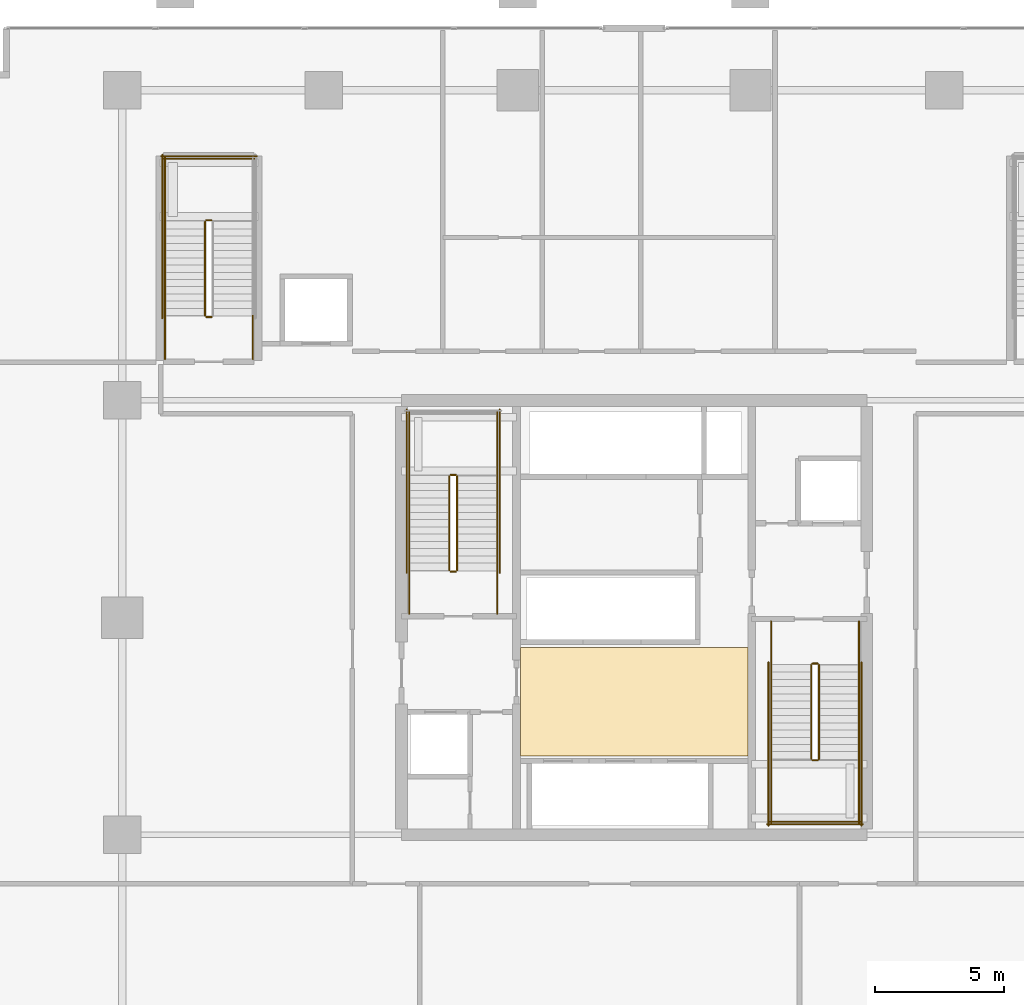
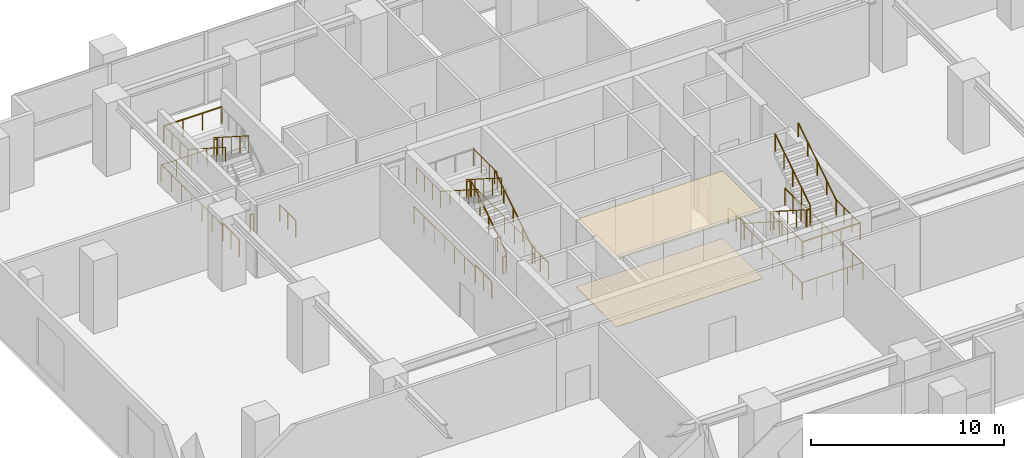
# One storey, part 19 of 20: 36 railings, 2 coverings.
"""IFC4 building model written with IfcOpenShell, lengths in metres."""

from ifc_helpers import new_model, si_unit, direction, frame, origin, origin_2d, place, context, subcontext, project, spatial, polyline, circle, outline, extrude, material, layer, layer_set, type_object, element, save


model = new_model("IFC4")

# Units and contexts
model_context = context("Model", 3, precision=1e-05, world=origin(), true_north=direction((0.0, 1.0)))
body_context = subcontext(model_context, "Body", "Model", "MODEL_VIEW")
ifc_project = project(units=[si_unit("LENGTHUNIT", "METRE"), si_unit("AREAUNIT", "SQUARE_METRE"), si_unit("VOLUMEUNIT", "CUBIC_METRE"), si_unit("PLANEANGLEUNIT", "RADIAN"), si_unit("MASSUNIT", "GRAM", prefix="KILO")], contexts=[model_context])

# Site, building, storey
site_placement = place(None, origin())
site = spatial("IfcSite", under=ifc_project, at=site_placement, CompositionType="ELEMENT")
building_placement = place(site_placement, origin())
building = spatial("IfcBuilding", under=site, at=building_placement, Name="Serunith Strait Residences", CompositionType="ELEMENT")
storey_placement = place(building_placement, frame((0.0, 0.0, 5.5)))
storey = spatial("IfcBuildingStorey", under=building, at=storey_placement, Name="L01", CompositionType="ELEMENT", Elevation=5.5)

# Coverings
ifc_material_1 = material(Name="Perforated acoustic gypsum ceiling tile")
ifc_layer_1 = layer(ifc_material_1, 0.02490234375, Name="Perforated acoustic gypsum ceiling tile")
ifc_layer_set_1 = layer_set([ifc_layer_1], Name="Perforated acoustic gypsum ceiling tile")
covering_type_1 = type_object("IfcCoveringType", Name="COV-CEIL-AC60", PredefinedType="CEILING", material=ifc_layer_set_1)
covering_1_placement = place(storey_placement, frame((0.0, 0.0, 4.27001953125)))
element("IfcCovering", 1, at=covering_1_placement, inside=storey, type_object=covering_type_1, Name="L01 Lift Lobby Acoustic Ceiling", PredefinedType="CEILING", context=body_context, shape_type="SweptSolid", body=[
    extrude(outline(polyline([(28.0, 19.85009765625), (36.800048828125, 19.85009765625), (36.800048828125, 24.050048828125), (28.0, 24.050048828125), (28.0, 19.85009765625)])), origin(), (0.0, 0.0, 1.0), 0.02490234375),
])
ifc_material_2 = material(Name="Honed limestone terrazzo flooring", Category="masonry")
ifc_layer_2 = layer(ifc_material_2, 0.02001953125, Name="Honed limestone terrazzo flooring")
ifc_layer_set_2 = layer_set([ifc_layer_2], Name="Honed limestone terrazzo flooring")
covering_type_2 = type_object("IfcCoveringType", Name="COV-FLOOR-TER40", PredefinedType="FLOORING", material=ifc_layer_set_2)
covering_2_placement = place(storey_placement, origin())
element("IfcCovering", 2, at=covering_2_placement, inside=storey, type_object=covering_type_2, Name="L01 Lift Lobby Terrazzo Flooring", PredefinedType="FLOORING", context=body_context, shape_type="SweptSolid", body=[
    extrude(outline(polyline([(28.0, 19.85009765625), (36.800048828125, 19.85009765625), (36.800048828125, 24.050048828125), (28.0, 24.050048828125), (28.0, 19.85009765625)])), origin(), (0.0, 0.0, 1.0), 0.02001953125),
])

# Railings
ifc_material_3 = material(Name="Brushed stainless steel 316L", Category="steel")
railing_type_1 = type_object("IfcRailingType", Name="RLG-STAIR-GUARD", PredefinedType="BALUSTRADE", material=ifc_material_3)
railing_1_placement = place(storey_placement, frame((25.550048828125, 27.030029296875, 0.178466796875)))
element("IfcRailing", 3, at=railing_1_placement, inside=storey, type_object=railing_type_1, Name="L01 ST-1 stair guard 1", PredefinedType="BALUSTRADE", context=body_context, shape_type="SweptSolid", body=[
    extrude(circle(Radius=0.02392578125, at=origin_2d()), frame((0.0, 0.001708984375, 1.0771484375), z_axis=(0.0, 0.843111507901, 0.53773877045), x_axis=(-1.0, 0.0, 0.0)), (0.0, 0.0, 1.0), 4.313232421875),
    extrude(circle(Radius=0.02099609375, at=origin_2d()), origin(), (0.0, 0.0, 1.0), 1.050048828125),
    extrude(circle(Radius=0.02099609375, at=origin_2d()), frame((0.0, 0.909912109375, 0.580322265625)), (0.0, 0.0, 1.0), 1.050048828125),
    extrude(circle(Radius=0.02099609375, at=origin_2d()), frame((0.0, 1.81982421875, 1.16064453125)), (0.0, 0.0, 1.0), 1.050048828125),
    extrude(circle(Radius=0.02099609375, at=origin_2d()), frame((0.0, 2.72998046875, 1.7412109375)), (0.0, 0.0, 1.0), 1.050048828125),
    extrude(circle(Radius=0.02099609375, at=origin_2d()), frame((0.0, 3.639892578125, 2.321533203125)), (0.0, 0.0, 1.0), 1.050048828125),
])
railing_2_placement = place(storey_placement, frame((25.5, 30.719970703125, 2.5)))
element("IfcRailing", 4, at=railing_2_placement, inside=storey, type_object=railing_type_1, Name="L01 ST-1 stair guard 2", PredefinedType="BALUSTRADE", context=body_context, shape_type="SweptSolid", body=[
    extrude(circle(Radius=0.02392578125, at=origin_2d()), frame((-0.001953125, 0.0, 1.076171875), z_axis=(-1.0, 0.0, 0.0), x_axis=(0.0, -1.0, 0.0)), (0.0, 0.0, 1.0), 0.196044921875),
    extrude(circle(Radius=0.02099609375, at=origin_2d()), origin(), (0.0, 0.0, 1.0), 1.050048828125),
    extrude(circle(Radius=0.02099609375, at=origin_2d()), frame((-0.199951171875, 0.0, 0.0)), (0.0, 0.0, 1.0), 1.050048828125),
])
for number, where, name in (
    (5, (27.10009765625, 30.669921875, 2.5), "L01 ST-1 stair guard 3"),
    (6, (23.699951171875, 30.669921875, 2.5), "L01 ST-1 stair guard 4"),
):
    element("IfcRailing", number, at=place(storey_placement, frame(where)), inside=storey, type_object=railing_type_1, Name=name, PredefinedType="BALUSTRADE", context=body_context, shape_type="SweptSolid", body=[
        extrude(circle(Radius=0.02392578125, at=origin_2d()), frame((0.0, 0.001953125, 1.076171875), z_axis=(0.0, 1.0, 0.0), x_axis=(-1.0, 0.0, 0.0)), (0.0, 0.0, 1.0), 2.47607421875),
        extrude(circle(Radius=0.02099609375, at=origin_2d()), origin(), (0.0, 0.0, 1.0), 1.050048828125),
        extrude(circle(Radius=0.02099609375, at=origin_2d()), frame((0.0, 0.82666015625, 0.0)), (0.0, 0.0, 1.0), 1.050048828125),
        extrude(circle(Radius=0.02099609375, at=origin_2d()), frame((0.0, 1.6533203125, 0.0)), (0.0, 0.0, 1.0), 1.050048828125),
        extrude(circle(Radius=0.02099609375, at=origin_2d()), frame((0.0, 2.47998046875, 0.0)), (0.0, 0.0, 1.0), 1.050048828125),
    ])
railing_3_placement = place(storey_placement, frame((25.25, 30.669921875, 2.678466796875)))
element("IfcRailing", 7, at=railing_3_placement, inside=storey, type_object=railing_type_1, Name="L01 ST-1 stair guard 6", PredefinedType="BALUSTRADE", context=body_context, shape_type="SweptSolid", body=[
    extrude(circle(Radius=0.02392578125, at=origin_2d()), frame((0.0, -0.001708984375, 1.0771484375), z_axis=(0.0, -0.843111507901, 0.53773877045), x_axis=(1.0, 0.0, 0.0)), (0.0, 0.0, 1.0), 4.313232421875),
    extrude(circle(Radius=0.02099609375, at=origin_2d()), origin(), (0.0, 0.0, 1.0), 1.050048828125),
    extrude(circle(Radius=0.02099609375, at=origin_2d()), frame((0.0, -0.909912109375, 0.580322265625)), (0.0, 0.0, 1.0), 1.050048828125),
    extrude(circle(Radius=0.02099609375, at=origin_2d()), frame((0.0, -1.81982421875, 1.16064453125)), (0.0, 0.0, 1.0), 1.050048828125),
    extrude(circle(Radius=0.02099609375, at=origin_2d()), frame((0.0, -2.72998046875, 1.7412109375)), (0.0, 0.0, 1.0), 1.050048828125),
    extrude(circle(Radius=0.02099609375, at=origin_2d()), frame((0.0, -3.639892578125, 2.321533203125)), (0.0, 0.0, 1.0), 1.050048828125),
])
railing_4_placement = place(storey_placement, frame((25.5, 26.97998046875, 0.0)))
element("IfcRailing", 8, at=railing_4_placement, inside=storey, type_object=railing_type_1, Name="L01 ST-1 stair guard 7", PredefinedType="BALUSTRADE", context=body_context, shape_type="SweptSolid", body=[
    extrude(circle(Radius=0.02392578125, at=origin_2d()), frame((-0.001953125, 0.0, 1.076171875), z_axis=(-1.0, 0.0, 0.0), x_axis=(0.0, -1.0, 0.0)), (0.0, 0.0, 1.0), 0.196044921875),
    extrude(circle(Radius=0.02099609375, at=origin_2d()), origin(), (0.0, 0.0, 1.0), 1.050048828125),
    extrude(circle(Radius=0.02099609375, at=origin_2d()), frame((-0.199951171875, 0.0, 0.0)), (0.0, 0.0, 1.0), 1.050048828125),
])
for number, where, name in (
    (9, (27.10009765625, 25.35009765625, 0.0), "L01 ST-1 stair guard 8"),
    (10, (23.699951171875, 25.35009765625, 0.0), "L01 ST-1 stair guard 9"),
):
    element("IfcRailing", number, at=place(storey_placement, frame(where)), inside=storey, type_object=railing_type_1, Name=name, PredefinedType="BALUSTRADE", context=body_context, shape_type="SweptSolid", body=[
        extrude(circle(Radius=0.02392578125, at=origin_2d()), frame((0.0, 0.001953125, 1.076171875), z_axis=(0.0, 1.0, 0.0), x_axis=(-1.0, 0.0, 0.0)), (0.0, 0.0, 1.0), 1.676025390625),
        extrude(circle(Radius=0.02099609375, at=origin_2d()), origin(), (0.0, 0.0, 1.0), 1.050048828125),
        extrude(circle(Radius=0.02099609375, at=origin_2d()), frame((0.0, 0.83984375, 0.0)), (0.0, 0.0, 1.0), 1.050048828125),
        extrude(circle(Radius=0.02099609375, at=origin_2d()), frame((0.0, 1.679931640625, 0.0)), (0.0, 0.0, 1.0), 1.050048828125),
    ])
for number, where, name in (
    (11, (27.199951171875, 26.929931640625, 0.0), "L01 ST-1 stair guard 10"),
    (12, (23.60009765625, 26.929931640625, 0.0), "L01 ST-1 stair guard 11"),
):
    element("IfcRailing", number, at=place(storey_placement, frame(where)), inside=storey, type_object=railing_type_1, Name=name, PredefinedType="BALUSTRADE", context=body_context, shape_type="SweptSolid", body=[
        extrude(circle(Radius=0.02392578125, at=origin_2d()), frame((0.0, 0.001953125, 1.076171875), z_axis=(0.0, 1.0, 0.0), x_axis=(-1.0, 0.0, 0.0)), (0.0, 0.0, 1.0), 6.316162109375),
        extrude(circle(Radius=0.02099609375, at=origin_2d()), origin(), (0.0, 0.0, 1.0), 1.050048828125),
        extrude(circle(Radius=0.02099609375, at=origin_2d()), frame((0.0, 1.05322265625, 0.0)), (0.0, 0.0, 1.0), 1.050048828125),
        extrude(circle(Radius=0.02099609375, at=origin_2d()), frame((0.0, 2.106689453125, 0.0)), (0.0, 0.0, 1.0), 1.050048828125),
        extrude(circle(Radius=0.02099609375, at=origin_2d()), frame((0.0, 3.16015625, 0.0)), (0.0, 0.0, 1.0), 1.050048828125),
        extrude(circle(Radius=0.02099609375, at=origin_2d()), frame((0.0, 4.21337890625, 0.0)), (0.0, 0.0, 1.0), 1.050048828125),
        extrude(circle(Radius=0.02099609375, at=origin_2d()), frame((0.0, 5.2666015625, 0.0)), (0.0, 0.0, 1.0), 1.050048828125),
        extrude(circle(Radius=0.02099609375, at=origin_2d()), frame((0.0, 6.320068359375, 0.0)), (0.0, 0.0, 1.0), 1.050048828125),
    ])
railing_5_placement = place(storey_placement, frame((39.25, 23.3701171875, 0.178466796875)))
element("IfcRailing", 13, at=railing_5_placement, inside=storey, type_object=railing_type_1, Name="L01 ST-2 stair guard 1", PredefinedType="BALUSTRADE", context=body_context, shape_type="SweptSolid", body=[
    extrude(circle(Radius=0.02392578125, at=origin_2d()), frame((0.0, -0.001708984375, 1.0771484375), z_axis=(0.0, -0.843127859045, 0.537713132908), x_axis=(1.0, 0.0, 0.0)), (0.0, 0.0, 1.0), 4.3134765625),
    extrude(circle(Radius=0.02099609375, at=origin_2d()), origin(), (0.0, 0.0, 1.0), 1.050048828125),
    extrude(circle(Radius=0.02099609375, at=origin_2d()), frame((0.0, -0.91015625, 0.580322265625)), (0.0, 0.0, 1.0), 1.050048828125),
    extrude(circle(Radius=0.02099609375, at=origin_2d()), frame((0.0, -1.820068359375, 1.16064453125)), (0.0, 0.0, 1.0), 1.050048828125),
    extrude(circle(Radius=0.02099609375, at=origin_2d()), frame((0.0, -2.72998046875, 1.7412109375)), (0.0, 0.0, 1.0), 1.050048828125),
    extrude(circle(Radius=0.02099609375, at=origin_2d()), frame((0.0, -3.64013671875, 2.321533203125)), (0.0, 0.0, 1.0), 1.050048828125),
])
railing_6_placement = place(storey_placement, frame((39.300048828125, 19.679931640625, 2.5)))
element("IfcRailing", 14, at=railing_6_placement, inside=storey, type_object=railing_type_1, Name="L01 ST-2 stair guard 2", PredefinedType="BALUSTRADE", context=body_context, shape_type="SweptSolid", body=[
    extrude(circle(Radius=0.02392578125, at=origin_2d()), frame((0.001953125, 0.0, 1.076171875), z_axis=(1.0, 0.0, 0.0), x_axis=(0.0, 1.0, 0.0)), (0.0, 0.0, 1.0), 0.196044921875),
    extrude(circle(Radius=0.02099609375, at=origin_2d()), origin(), (0.0, 0.0, 1.0), 1.050048828125),
    extrude(circle(Radius=0.02099609375, at=origin_2d()), frame((0.199951171875, 0.0, 0.0)), (0.0, 0.0, 1.0), 1.050048828125),
])
for number, where, name in (
    (15, (37.699951171875, 19.72998046875, 2.5), "L01 ST-2 stair guard 3"),
    (16, (41.10009765625, 19.72998046875, 2.5), "L01 ST-2 stair guard 4"),
):
    element("IfcRailing", number, at=place(storey_placement, frame(where)), inside=storey, type_object=railing_type_1, Name=name, PredefinedType="BALUSTRADE", context=body_context, shape_type="SweptSolid", body=[
        extrude(circle(Radius=0.02392578125, at=origin_2d()), frame((0.0, -0.001953125, 1.076171875), z_axis=(0.0, -1.0, 0.0), x_axis=(1.0, 0.0, 0.0)), (0.0, 0.0, 1.0), 2.47607421875),
        extrude(circle(Radius=0.02099609375, at=origin_2d()), origin(), (0.0, 0.0, 1.0), 1.050048828125),
        extrude(circle(Radius=0.02099609375, at=origin_2d()), frame((0.0, -0.82666015625, 0.0)), (0.0, 0.0, 1.0), 1.050048828125),
        extrude(circle(Radius=0.02099609375, at=origin_2d()), frame((0.0, -1.6533203125, 0.0)), (0.0, 0.0, 1.0), 1.050048828125),
        extrude(circle(Radius=0.02099609375, at=origin_2d()), frame((0.0, -2.47998046875, 0.0)), (0.0, 0.0, 1.0), 1.050048828125),
    ])
railing_7_placement = place(storey_placement, frame((37.64990234375, 17.300048828125, 2.5)))
element("IfcRailing", 17, at=railing_7_placement, inside=storey, type_object=railing_type_1, Name="L01 ST-2 stair guard 5", PredefinedType="BALUSTRADE", context=body_context, shape_type="SweptSolid", body=[
    extrude(circle(Radius=0.02392578125, at=origin_2d()), frame((0.001953125, 0.0, 1.076171875), z_axis=(1.0, 0.0, 0.0), x_axis=(0.0, 1.0, 0.0)), (0.0, 0.0, 1.0), 3.49609375),
    extrude(circle(Radius=0.02099609375, at=origin_2d()), origin(), (0.0, 0.0, 1.0), 1.050048828125),
    extrude(circle(Radius=0.02099609375, at=origin_2d()), frame((1.166748046875, 0.0, 0.0)), (0.0, 0.0, 1.0), 1.050048828125),
    extrude(circle(Radius=0.02099609375, at=origin_2d()), frame((2.333251953125, 0.0, 0.0)), (0.0, 0.0, 1.0), 1.050048828125),
    extrude(circle(Radius=0.02099609375, at=origin_2d()), frame((3.5, 0.0, 0.0)), (0.0, 0.0, 1.0), 1.050048828125),
])
railing_8_placement = place(storey_placement, frame((39.550048828125, 19.72998046875, 2.678466796875)))
element("IfcRailing", 18, at=railing_8_placement, inside=storey, type_object=railing_type_1, Name="L01 ST-2 stair guard 6", PredefinedType="BALUSTRADE", context=body_context, shape_type="SweptSolid", body=[
    extrude(circle(Radius=0.02392578125, at=origin_2d()), frame((0.0, 0.001708984375, 1.0771484375), z_axis=(0.0, 0.843127859045, 0.537713132908), x_axis=(-1.0, 0.0, 0.0)), (0.0, 0.0, 1.0), 4.3134765625),
    extrude(circle(Radius=0.02099609375, at=origin_2d()), origin(), (0.0, 0.0, 1.0), 1.050048828125),
    extrude(circle(Radius=0.02099609375, at=origin_2d()), frame((0.0, 0.91015625, 0.580322265625)), (0.0, 0.0, 1.0), 1.050048828125),
    extrude(circle(Radius=0.02099609375, at=origin_2d()), frame((0.0, 1.820068359375, 1.16064453125)), (0.0, 0.0, 1.0), 1.050048828125),
    extrude(circle(Radius=0.02099609375, at=origin_2d()), frame((0.0, 2.72998046875, 1.7412109375)), (0.0, 0.0, 1.0), 1.050048828125),
    extrude(circle(Radius=0.02099609375, at=origin_2d()), frame((0.0, 3.64013671875, 2.321533203125)), (0.0, 0.0, 1.0), 1.050048828125),
])
railing_9_placement = place(storey_placement, frame((39.300048828125, 23.419921875, 0.0)))
element("IfcRailing", 19, at=railing_9_placement, inside=storey, type_object=railing_type_1, Name="L01 ST-2 stair guard 7", PredefinedType="BALUSTRADE", context=body_context, shape_type="SweptSolid", body=[
    extrude(circle(Radius=0.02392578125, at=origin_2d()), frame((0.001953125, 0.0, 1.076171875), z_axis=(1.0, 0.0, 0.0), x_axis=(0.0, 1.0, 0.0)), (0.0, 0.0, 1.0), 0.196044921875),
    extrude(circle(Radius=0.02099609375, at=origin_2d()), origin(), (0.0, 0.0, 1.0), 1.050048828125),
    extrude(circle(Radius=0.02099609375, at=origin_2d()), frame((0.199951171875, 0.0, 0.0)), (0.0, 0.0, 1.0), 1.050048828125),
])
for number, where, name in (
    (20, (37.699951171875, 25.050048828125, 0.0), "L01 ST-2 stair guard 8"),
    (21, (41.10009765625, 25.050048828125, 0.0), "L01 ST-2 stair guard 9"),
):
    element("IfcRailing", number, at=place(storey_placement, frame(where)), inside=storey, type_object=railing_type_1, Name=name, PredefinedType="BALUSTRADE", context=body_context, shape_type="SweptSolid", body=[
        extrude(circle(Radius=0.02392578125, at=origin_2d()), frame((0.0, -0.001953125, 1.076171875), z_axis=(0.0, -1.0, 0.0), x_axis=(1.0, 0.0, 0.0)), (0.0, 0.0, 1.0), 1.676025390625),
        extrude(circle(Radius=0.02099609375, at=origin_2d()), origin(), (0.0, 0.0, 1.0), 1.050048828125),
        extrude(circle(Radius=0.02099609375, at=origin_2d()), frame((0.0, -0.83984375, 0.0)), (0.0, 0.0, 1.0), 1.050048828125),
        extrude(circle(Radius=0.02099609375, at=origin_2d()), frame((0.0, -1.679931640625, 0.0)), (0.0, 0.0, 1.0), 1.050048828125),
    ])
for number, where, name in (
    (22, (37.60009765625, 23.469970703125, 0.0), "L01 ST-2 stair guard 10"),
    (23, (41.199951171875, 23.469970703125, 0.0), "L01 ST-2 stair guard 11"),
):
    element("IfcRailing", number, at=place(storey_placement, frame(where)), inside=storey, type_object=railing_type_1, Name=name, PredefinedType="BALUSTRADE", context=body_context, shape_type="SweptSolid", body=[
        extrude(circle(Radius=0.02392578125, at=origin_2d()), frame((0.0, -0.001953125, 1.076171875), z_axis=(0.0, -1.0, 0.0), x_axis=(1.0, 0.0, 0.0)), (0.0, 0.0, 1.0), 6.316162109375),
        extrude(circle(Radius=0.02099609375, at=origin_2d()), origin(), (0.0, 0.0, 1.0), 1.050048828125),
        extrude(circle(Radius=0.02099609375, at=origin_2d()), frame((0.0, -1.05322265625, 0.0)), (0.0, 0.0, 1.0), 1.050048828125),
        extrude(circle(Radius=0.02099609375, at=origin_2d()), frame((0.0, -2.106689453125, 0.0)), (0.0, 0.0, 1.0), 1.050048828125),
        extrude(circle(Radius=0.02099609375, at=origin_2d()), frame((0.0, -3.16015625, 0.0)), (0.0, 0.0, 1.0), 1.050048828125),
        extrude(circle(Radius=0.02099609375, at=origin_2d()), frame((0.0, -4.21337890625, 0.0)), (0.0, 0.0, 1.0), 1.050048828125),
        extrude(circle(Radius=0.02099609375, at=origin_2d()), frame((0.0, -5.2666015625, 0.0)), (0.0, 0.0, 1.0), 1.050048828125),
        extrude(circle(Radius=0.02099609375, at=origin_2d()), frame((0.0, -6.320068359375, 0.0)), (0.0, 0.0, 1.0), 1.050048828125),
    ])
railing_10_placement = place(storey_placement, frame((37.550048828125, 17.199951171875, 0.0)))
element("IfcRailing", 24, at=railing_10_placement, inside=storey, type_object=railing_type_1, Name="L01 ST-2 stair guard 12", PredefinedType="BALUSTRADE", context=body_context, shape_type="SweptSolid", body=[
    extrude(circle(Radius=0.02392578125, at=origin_2d()), frame((0.001953125, 0.0, 1.076171875), z_axis=(1.0, 0.0, 0.0), x_axis=(0.0, 1.0, 0.0)), (0.0, 0.0, 1.0), 3.696044921875),
    extrude(circle(Radius=0.02099609375, at=origin_2d()), origin(), (0.0, 0.0, 1.0), 1.050048828125),
    extrude(circle(Radius=0.02099609375, at=origin_2d()), frame((0.925048828125, 0.0, 0.0)), (0.0, 0.0, 1.0), 1.050048828125),
    extrude(circle(Radius=0.02099609375, at=origin_2d()), frame((1.85009765625, 0.0, 0.0)), (0.0, 0.0, 1.0), 1.050048828125),
    extrude(circle(Radius=0.02099609375, at=origin_2d()), frame((2.77490234375, 0.0, 0.0)), (0.0, 0.0, 1.0), 1.050048828125),
    extrude(circle(Radius=0.02099609375, at=origin_2d()), frame((3.699951171875, 0.0, 0.0)), (0.0, 0.0, 1.0), 1.050048828125),
])
railing_11_placement = place(storey_placement, frame((16.050048828125, 40.570068359375, 2.5)))
element("IfcRailing", 25, at=railing_11_placement, inside=storey, type_object=railing_type_1, Name="L01 ST-3 stair guard 2", PredefinedType="BALUSTRADE", context=body_context, shape_type="SweptSolid", body=[
    extrude(circle(Radius=0.02392578125, at=origin_2d()), frame((-0.001953125, 0.0, 1.076171875), z_axis=(-1.0, 0.0, 0.0), x_axis=(0.0, -1.0, 0.0)), (0.0, 0.0, 1.0), 0.196044921875),
    extrude(circle(Radius=0.02099609375, at=origin_2d()), origin(), (0.0, 0.0, 1.0), 1.050048828125),
    extrude(circle(Radius=0.02099609375, at=origin_2d()), frame((-0.199951171875, 0.0, 0.0)), (0.0, 0.0, 1.0), 1.050048828125),
])
railing_12_placement = place(storey_placement, frame((14.25, 40.52001953125, 2.5)))
element("IfcRailing", 26, at=railing_12_placement, inside=storey, type_object=railing_type_1, Name="L01 ST-3 stair guard 4", PredefinedType="BALUSTRADE", context=body_context, shape_type="SweptSolid", body=[
    extrude(circle(Radius=0.02392578125, at=origin_2d()), frame((0.0, 0.001953125, 1.076171875), z_axis=(0.0, 1.0, 0.0), x_axis=(-1.0, 0.0, 0.0)), (0.0, 0.0, 1.0), 2.47607421875),
    extrude(circle(Radius=0.02099609375, at=origin_2d()), origin(), (0.0, 0.0, 1.0), 1.050048828125),
    extrude(circle(Radius=0.02099609375, at=origin_2d()), frame((0.0, 0.82666015625, 0.0)), (0.0, 0.0, 1.0), 1.050048828125),
    extrude(circle(Radius=0.02099609375, at=origin_2d()), frame((0.0, 1.6533203125, 0.0)), (0.0, 0.0, 1.0), 1.050048828125),
    extrude(circle(Radius=0.02099609375, at=origin_2d()), frame((0.0, 2.47998046875, 0.0)), (0.0, 0.0, 1.0), 1.050048828125),
])
railing_13_placement = place(storey_placement, frame((17.699951171875, 42.949951171875, 2.5)))
element("IfcRailing", 27, at=railing_13_placement, inside=storey, type_object=railing_type_1, Name="L01 ST-3 stair guard 5", PredefinedType="BALUSTRADE", context=body_context, shape_type="SweptSolid", body=[
    extrude(circle(Radius=0.02392578125, at=origin_2d()), frame((-0.001953125, 0.0, 1.076171875), z_axis=(-1.0, 0.0, 0.0), x_axis=(0.0, -1.0, 0.0)), (0.0, 0.0, 1.0), 3.49609375),
    extrude(circle(Radius=0.02099609375, at=origin_2d()), origin(), (0.0, 0.0, 1.0), 1.050048828125),
    extrude(circle(Radius=0.02099609375, at=origin_2d()), frame((-1.166748046875, 0.0, 0.0)), (0.0, 0.0, 1.0), 1.050048828125),
    extrude(circle(Radius=0.02099609375, at=origin_2d()), frame((-2.333251953125, 0.0, 0.0)), (0.0, 0.0, 1.0), 1.050048828125),
    extrude(circle(Radius=0.02099609375, at=origin_2d()), frame((-3.5, 0.0, 0.0)), (0.0, 0.0, 1.0), 1.050048828125),
])
railing_14_placement = place(storey_placement, frame((15.800048828125, 40.52001953125, 2.678466796875)))
element("IfcRailing", 28, at=railing_14_placement, inside=storey, type_object=railing_type_1, Name="L01 ST-3 stair guard 6", PredefinedType="BALUSTRADE", context=body_context, shape_type="SweptSolid", body=[
    extrude(circle(Radius=0.02392578125, at=origin_2d()), frame((0.0, -0.001708984375, 1.0771484375), z_axis=(0.0, -0.843127859045, 0.537713132908), x_axis=(1.0, 0.0, 0.0)), (0.0, 0.0, 1.0), 4.3134765625),
    extrude(circle(Radius=0.02099609375, at=origin_2d()), origin(), (0.0, 0.0, 1.0), 1.050048828125),
    extrude(circle(Radius=0.02099609375, at=origin_2d()), frame((0.0, -0.91015625, 0.580322265625)), (0.0, 0.0, 1.0), 1.050048828125),
    extrude(circle(Radius=0.02099609375, at=origin_2d()), frame((0.0, -1.820068359375, 1.16064453125)), (0.0, 0.0, 1.0), 1.050048828125),
    extrude(circle(Radius=0.02099609375, at=origin_2d()), frame((0.0, -2.72998046875, 1.7412109375)), (0.0, 0.0, 1.0), 1.050048828125),
    extrude(circle(Radius=0.02099609375, at=origin_2d()), frame((0.0, -3.64013671875, 2.321533203125)), (0.0, 0.0, 1.0), 1.050048828125),
])
railing_15_placement = place(storey_placement, frame((16.050048828125, 36.830078125, 0.0)))
element("IfcRailing", 29, at=railing_15_placement, inside=storey, type_object=railing_type_1, Name="L01 ST-3 stair guard 7", PredefinedType="BALUSTRADE", context=body_context, shape_type="SweptSolid", body=[
    extrude(circle(Radius=0.02392578125, at=origin_2d()), frame((-0.001953125, 0.0, 1.076171875), z_axis=(-1.0, 0.0, 0.0), x_axis=(0.0, -1.0, 0.0)), (0.0, 0.0, 1.0), 0.196044921875),
    extrude(circle(Radius=0.02099609375, at=origin_2d()), origin(), (0.0, 0.0, 1.0), 1.050048828125),
    extrude(circle(Radius=0.02099609375, at=origin_2d()), frame((-0.199951171875, 0.0, 0.0)), (0.0, 0.0, 1.0), 1.050048828125),
])
for number, where, name in (
    (30, (17.64990234375, 35.199951171875, 0.0), "L01 ST-3 stair guard 8"),
    (31, (14.25, 35.199951171875, 0.0), "L01 ST-3 stair guard 9"),
):
    element("IfcRailing", number, at=place(storey_placement, frame(where)), inside=storey, type_object=railing_type_1, Name=name, PredefinedType="BALUSTRADE", context=body_context, shape_type="SweptSolid", body=[
        extrude(circle(Radius=0.02392578125, at=origin_2d()), frame((0.0, 0.001953125, 1.076171875), z_axis=(0.0, 1.0, 0.0), x_axis=(-1.0, 0.0, 0.0)), (0.0, 0.0, 1.0), 1.676025390625),
        extrude(circle(Radius=0.02099609375, at=origin_2d()), origin(), (0.0, 0.0, 1.0), 1.050048828125),
        extrude(circle(Radius=0.02099609375, at=origin_2d()), frame((0.0, 0.83984375, 0.0)), (0.0, 0.0, 1.0), 1.050048828125),
        extrude(circle(Radius=0.02099609375, at=origin_2d()), frame((0.0, 1.679931640625, 0.0)), (0.0, 0.0, 1.0), 1.050048828125),
    ])
railing_16_placement = place(storey_placement, frame((14.14990234375, 36.780029296875, 0.0)))
element("IfcRailing", 32, at=railing_16_placement, inside=storey, type_object=railing_type_1, Name="L01 ST-3 stair guard 11", PredefinedType="BALUSTRADE", context=body_context, shape_type="SweptSolid", body=[
    extrude(circle(Radius=0.02392578125, at=origin_2d()), frame((0.0, 0.001953125, 1.076171875), z_axis=(0.0, 1.0, 0.0), x_axis=(-1.0, 0.0, 0.0)), (0.0, 0.0, 1.0), 6.316162109375),
    extrude(circle(Radius=0.02099609375, at=origin_2d()), origin(), (0.0, 0.0, 1.0), 1.050048828125),
    extrude(circle(Radius=0.02099609375, at=origin_2d()), frame((0.0, 1.05322265625, 0.0)), (0.0, 0.0, 1.0), 1.050048828125),
    extrude(circle(Radius=0.02099609375, at=origin_2d()), frame((0.0, 2.106689453125, 0.0)), (0.0, 0.0, 1.0), 1.050048828125),
    extrude(circle(Radius=0.02099609375, at=origin_2d()), frame((0.0, 3.16015625, 0.0)), (0.0, 0.0, 1.0), 1.050048828125),
    extrude(circle(Radius=0.02099609375, at=origin_2d()), frame((0.0, 4.21337890625, 0.0)), (0.0, 0.0, 1.0), 1.050048828125),
    extrude(circle(Radius=0.02099609375, at=origin_2d()), frame((0.0, 5.2666015625, 0.0)), (0.0, 0.0, 1.0), 1.050048828125),
    extrude(circle(Radius=0.02099609375, at=origin_2d()), frame((0.0, 6.320068359375, 0.0)), (0.0, 0.0, 1.0), 1.050048828125),
])
railing_17_placement = place(storey_placement, frame((17.800048828125, 43.050048828125, 0.0)))
element("IfcRailing", 33, at=railing_17_placement, inside=storey, type_object=railing_type_1, Name="L01 ST-3 stair guard 12", PredefinedType="BALUSTRADE", context=body_context, shape_type="SweptSolid", body=[
    extrude(circle(Radius=0.02392578125, at=origin_2d()), frame((-0.001953125, 0.0, 1.076171875), z_axis=(-1.0, 0.0, 0.0), x_axis=(0.0, -1.0, 0.0)), (0.0, 0.0, 1.0), 3.696044921875),
    extrude(circle(Radius=0.02099609375, at=origin_2d()), origin(), (0.0, 0.0, 1.0), 1.050048828125),
    extrude(circle(Radius=0.02099609375, at=origin_2d()), frame((-0.925048828125, 0.0, 0.0)), (0.0, 0.0, 1.0), 1.050048828125),
    extrude(circle(Radius=0.02099609375, at=origin_2d()), frame((-1.85009765625, 0.0, 0.0)), (0.0, 0.0, 1.0), 1.050048828125),
    extrude(circle(Radius=0.02099609375, at=origin_2d()), frame((-2.77490234375, 0.0, 0.0)), (0.0, 0.0, 1.0), 1.050048828125),
    extrude(circle(Radius=0.02099609375, at=origin_2d()), frame((-3.699951171875, 0.0, 0.0)), (0.0, 0.0, 1.0), 1.050048828125),
])
railing_type_2 = type_object("IfcRailingType", Name="RLG-STAIR-HR", PredefinedType="HANDRAIL", material=ifc_material_3)
railing_18_placement = place(storey_placement, frame((27.10009765625, 27.030029296875, 0.178466796875)))
element("IfcRailing", 34, at=railing_18_placement, inside=storey, type_object=railing_type_2, Name="L01 ST-1 stair handrail 1", PredefinedType="HANDRAIL", context=body_context, shape_type="SweptSolid", body=[
    extrude(circle(Radius=0.02392578125, at=origin_2d()), frame((0.0, 0.001708984375, 0.876953125), z_axis=(0.0, 0.842624821579, 0.538501077119), x_axis=(-1.0, 0.0, 0.0)), (0.0, 0.0, 1.0), 4.64794921875),
    extrude(circle(Radius=0.02099609375, at=origin_2d()), origin(), (0.0, 0.0, 1.0), 0.849853515625),
    extrude(circle(Radius=0.02099609375, at=origin_2d()), frame((0.0, 0.97998046875, 0.626220703125)), (0.0, 0.0, 1.0), 0.849853515625),
    extrude(circle(Radius=0.02099609375, at=origin_2d()), frame((0.0, 1.9599609375, 1.25244140625)), (0.0, 0.0, 1.0), 0.849853515625),
    extrude(circle(Radius=0.02099609375, at=origin_2d()), frame((0.0, 2.93994140625, 1.87890625)), (0.0, 0.0, 1.0), 0.849853515625),
    extrude(circle(Radius=0.02099609375, at=origin_2d()), frame((0.0, 3.919921875, 2.505126953125)), (0.0, 0.0, 1.0), 0.849853515625),
])
railing_19_placement = place(storey_placement, frame((23.699951171875, 30.669921875, 2.678466796875)))
element("IfcRailing", 35, at=railing_19_placement, inside=storey, type_object=railing_type_2, Name="L01 ST-1 stair handrail 2", PredefinedType="HANDRAIL", context=body_context, shape_type="SweptSolid", body=[
    extrude(circle(Radius=0.02392578125, at=origin_2d()), frame((0.0, -0.001708984375, 0.876953125), z_axis=(0.0, -0.842624821579, 0.538501077119), x_axis=(1.0, 0.0, 0.0)), (0.0, 0.0, 1.0), 4.64794921875),
    extrude(circle(Radius=0.02099609375, at=origin_2d()), origin(), (0.0, 0.0, 1.0), 0.849853515625),
    extrude(circle(Radius=0.02099609375, at=origin_2d()), frame((0.0, -0.97998046875, 0.626220703125)), (0.0, 0.0, 1.0), 0.849853515625),
    extrude(circle(Radius=0.02099609375, at=origin_2d()), frame((0.0, -1.9599609375, 1.25244140625)), (0.0, 0.0, 1.0), 0.849853515625),
    extrude(circle(Radius=0.02099609375, at=origin_2d()), frame((0.0, -2.93994140625, 1.87890625)), (0.0, 0.0, 1.0), 0.849853515625),
    extrude(circle(Radius=0.02099609375, at=origin_2d()), frame((0.0, -3.919921875, 2.505126953125)), (0.0, 0.0, 1.0), 0.849853515625),
])
railing_20_placement = place(storey_placement, frame((37.699951171875, 23.3701171875, 0.178466796875)))
element("IfcRailing", 36, at=railing_20_placement, inside=storey, type_object=railing_type_2, Name="L01 ST-2 stair handrail 1", PredefinedType="HANDRAIL", context=body_context, shape_type="SweptSolid", body=[
    extrude(circle(Radius=0.02392578125, at=origin_2d()), frame((0.0, -0.001708984375, 0.876953125), z_axis=(0.0, -0.842640039007, 0.53847726476), x_axis=(1.0, 0.0, 0.0)), (0.0, 0.0, 1.0), 4.648193359375),
    extrude(circle(Radius=0.02099609375, at=origin_2d()), origin(), (0.0, 0.0, 1.0), 0.849853515625),
    extrude(circle(Radius=0.02099609375, at=origin_2d()), frame((0.0, -0.97998046875, 0.626220703125)), (0.0, 0.0, 1.0), 0.849853515625),
    extrude(circle(Radius=0.02099609375, at=origin_2d()), frame((0.0, -1.9599609375, 1.25244140625)), (0.0, 0.0, 1.0), 0.849853515625),
    extrude(circle(Radius=0.02099609375, at=origin_2d()), frame((0.0, -2.940185546875, 1.87890625)), (0.0, 0.0, 1.0), 0.849853515625),
    extrude(circle(Radius=0.02099609375, at=origin_2d()), frame((0.0, -3.920166015625, 2.505126953125)), (0.0, 0.0, 1.0), 0.849853515625),
])
railing_21_placement = place(storey_placement, frame((41.10009765625, 19.72998046875, 2.678466796875)))
element("IfcRailing", 37, at=railing_21_placement, inside=storey, type_object=railing_type_2, Name="L01 ST-2 stair handrail 2", PredefinedType="HANDRAIL", context=body_context, shape_type="SweptSolid", body=[
    extrude(circle(Radius=0.02392578125, at=origin_2d()), frame((0.0, 0.001708984375, 0.876953125), z_axis=(0.0, 0.842624821579, 0.538501077119), x_axis=(-1.0, 0.0, 0.0)), (0.0, 0.0, 1.0), 4.64794921875),
    extrude(circle(Radius=0.02099609375, at=origin_2d()), origin(), (0.0, 0.0, 1.0), 0.849853515625),
    extrude(circle(Radius=0.02099609375, at=origin_2d()), frame((0.0, 0.97998046875, 0.626220703125)), (0.0, 0.0, 1.0), 0.849853515625),
    extrude(circle(Radius=0.02099609375, at=origin_2d()), frame((0.0, 1.9599609375, 1.25244140625)), (0.0, 0.0, 1.0), 0.849853515625),
    extrude(circle(Radius=0.02099609375, at=origin_2d()), frame((0.0, 2.93994140625, 1.87890625)), (0.0, 0.0, 1.0), 0.849853515625),
    extrude(circle(Radius=0.02099609375, at=origin_2d()), frame((0.0, 3.919921875, 2.505126953125)), (0.0, 0.0, 1.0), 0.849853515625),
])
railing_22_placement = place(storey_placement, frame((14.25, 40.52001953125, 2.678466796875)))
element("IfcRailing", 38, at=railing_22_placement, inside=storey, type_object=railing_type_2, Name="L01 ST-3 stair handrail 2", PredefinedType="HANDRAIL", context=body_context, shape_type="SweptSolid", body=[
    extrude(circle(Radius=0.02392578125, at=origin_2d()), frame((0.0, -0.001708984375, 0.876953125), z_axis=(0.0, -0.842624821579, 0.538501077119), x_axis=(1.0, 0.0, 0.0)), (0.0, 0.0, 1.0), 4.64794921875),
    extrude(circle(Radius=0.02099609375, at=origin_2d()), origin(), (0.0, 0.0, 1.0), 0.849853515625),
    extrude(circle(Radius=0.02099609375, at=origin_2d()), frame((0.0, -0.97998046875, 0.626220703125)), (0.0, 0.0, 1.0), 0.849853515625),
    extrude(circle(Radius=0.02099609375, at=origin_2d()), frame((0.0, -1.9599609375, 1.25244140625)), (0.0, 0.0, 1.0), 0.849853515625),
    extrude(circle(Radius=0.02099609375, at=origin_2d()), frame((0.0, -2.93994140625, 1.87890625)), (0.0, 0.0, 1.0), 0.849853515625),
    extrude(circle(Radius=0.02099609375, at=origin_2d()), frame((0.0, -3.919921875, 2.505126953125)), (0.0, 0.0, 1.0), 0.849853515625),
])

save(model, "model.ifc")
